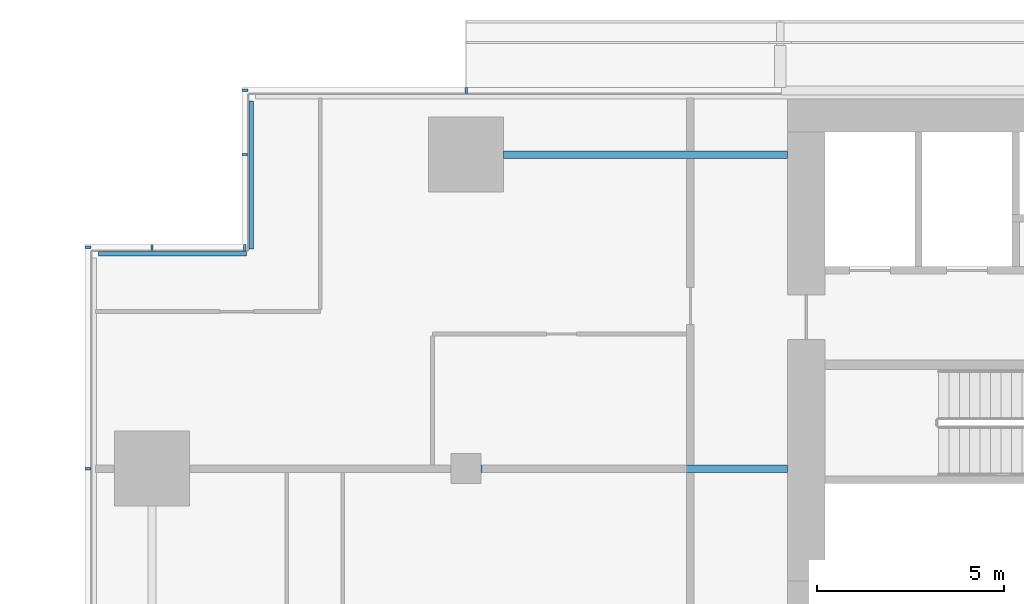
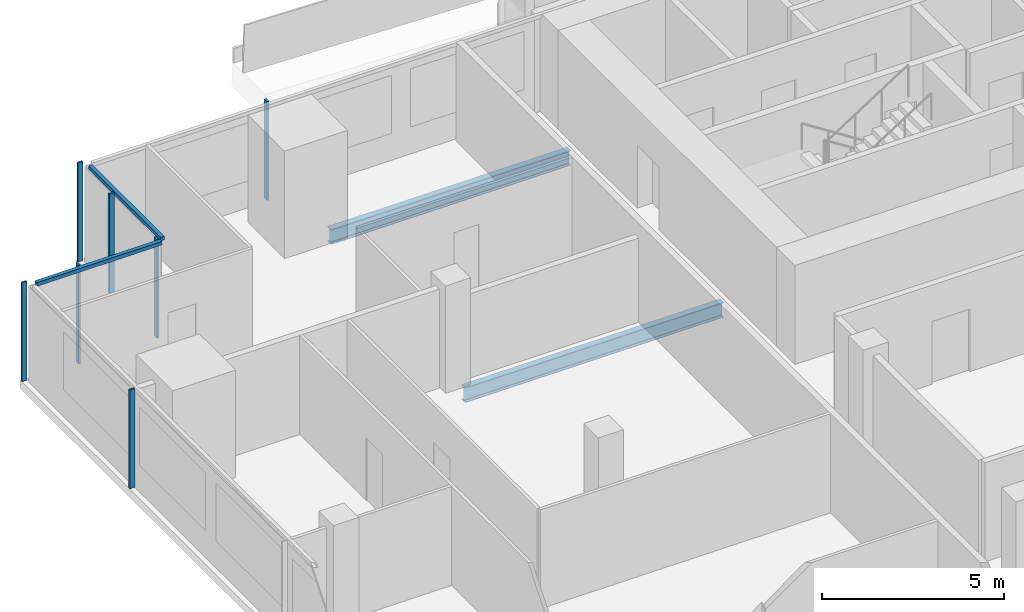
# One storey, part 8 of 27: 9 members, 2 beams, 4 elements without a shape of their own.
"""IFC4 building model written with IfcOpenShell, lengths in metres."""

from ifc_helpers import new_model, si_unit, direction, frame, origin, origin_2d, place, context, subcontext, project, spatial, rectangle, i_section, extrude, material, material_profile, profile_set, type_object, element, aggregate, save


model = new_model("IFC4")

# Units and contexts
model_context = context("Model", 3, precision=1e-05, world=origin(), true_north=direction((0.0, 1.0)))
body_context = subcontext(model_context, "Body", "Model", "MODEL_VIEW")
ifc_project = project(units=[si_unit("LENGTHUNIT", "METRE"), si_unit("AREAUNIT", "SQUARE_METRE"), si_unit("VOLUMEUNIT", "CUBIC_METRE"), si_unit("PLANEANGLEUNIT", "RADIAN"), si_unit("MASSUNIT", "GRAM", prefix="KILO")], contexts=[model_context])

# Site, building, storey
site_placement = place(None, origin())
site = spatial("IfcSite", under=ifc_project, at=site_placement, CompositionType="ELEMENT")
building_placement = place(site_placement, origin())
building = spatial("IfcBuilding", under=site, at=building_placement, Name="Saffron Gate Tower", CompositionType="ELEMENT")
storey_placement = place(building_placement, frame((0.0, 0.0, 124.050048828125)))
storey = spatial("IfcBuildingStorey", under=building, at=storey_placement, Name="L29", CompositionType="ELEMENT", Elevation=124.050048828125)

# Beams
ifc_material_1 = material(Name="Structural steel S355", Category="steel")
ifc_material_profile_1 = material_profile(ifc_material_1, i_section(OverallWidth=0.199951171875, OverallDepth=0.5, WebThickness=0.01025390625, FlangeThickness=0.01611328125, FilletRadius=0.02099609375, at=origin_2d()))
ifc_profile_set_1 = profile_set([ifc_material_profile_1], Name="Structural steel S355")
beam_type = type_object("IfcBeamType", Name="B10 IPE 500", PredefinedType="BEAM", material=ifc_profile_set_1)
beam_1_placement = place(storey_placement, frame((58.60009765625, 65.39990234375, -0.530029296875), z_axis=(1.0, 0.0, 0.0), x_axis=(0.0, 1.0, 0.0)))
element("IfcBeam", 1, at=beam_1_placement, inside=storey, type_object=beam_type, Name="B10 CORE TIE BEAM", PredefinedType="BEAM", context=body_context, shape_type="SweptSolid", body=[
    extrude(i_section(OverallWidth=0.199951171875, OverallDepth=0.5, WebThickness=0.01025390625, FlangeThickness=0.01611328125, FilletRadius=0.02099609375, at=origin_2d()), origin(), (0.0, 0.0, 1.0), 8.199951171875),
])
beam_2_placement = place(storey_placement, frame((59.199951171875, 73.800048828125, -0.530029296875), z_axis=(1.0, 0.0, 0.0), x_axis=(0.0, 1.0, 0.0)))
element("IfcBeam", 2, at=beam_2_placement, inside=storey, type_object=beam_type, Name="B10 CORE TIE BEAM", PredefinedType="BEAM", context=body_context, shape_type="SweptSolid", body=[
    extrude(i_section(OverallWidth=0.199951171875, OverallDepth=0.5, WebThickness=0.01025390625, FlangeThickness=0.01611328125, FilletRadius=0.02099609375, at=origin_2d()), origin(), (0.0, 0.0, 1.0), 7.60009765625),
])

# Curtain wall, members
ifc_material_2 = material(Name="Aluminium, bronze anodised", Category="aluminium")
curtain_wall_type_1 = type_object("IfcCurtainWallType", Name="CWS2 curtain wall side facades", PredefinedType="NOTDEFINED", material=ifc_material_2)
curtain_wall_1_placement = place(storey_placement, origin())
curtain_wall_1 = element("IfcCurtainWall", 3, at=curtain_wall_1_placement, inside=storey, type_object=curtain_wall_type_1, Name="CWS2 run 10", PredefinedType="NOTDEFINED")
ifc_material_profile_2 = material_profile(ifc_material_2, rectangle(XDim=0.159912109375, YDim=0.06005859375, at=origin_2d()))
ifc_profile_set_2 = profile_set([ifc_material_profile_2], Name="Aluminium, bronze anodised")
member_type_1 = type_object("IfcMemberType", Name="CWS2 mullion 60x160", PredefinedType="MULLION", material=ifc_profile_set_2)
member_1_placement = place(storey_placement, frame((48.080078125, 71.320068359375, 0.0), z_axis=(0.0, 0.0, 1.0), x_axis=(1.0, 0.0, 0.0)))
member_1 = element("IfcMember", 4, at=member_1_placement, type_object=member_type_1, Name="CWS2 mullion 1", PredefinedType="MULLION", context=body_context, shape_type="SweptSolid", body=[
    extrude(rectangle(XDim=0.159912109375, YDim=0.06005859375, at=origin_2d()), origin(), (0.0, 0.0, 1.0), 3.320068359375),
])
member_2_placement = place(storey_placement, frame((48.080078125, 65.39990234375, 0.0), z_axis=(0.0, 0.0, 1.0), x_axis=(1.0, 0.0, 0.0)))
member_2 = element("IfcMember", 5, at=member_2_placement, type_object=member_type_1, Name="CWS2 mullion 2", PredefinedType="MULLION", context=body_context, shape_type="SweptSolid", body=[
    extrude(rectangle(XDim=0.159912109375, YDim=0.06005859375, at=origin_2d()), origin(), (0.0, 0.0, 1.0), 3.320068359375),
])
aggregate(curtain_wall_1, [member_1, member_2])

# Curtain wall, member
curtain_wall_type_2 = type_object("IfcCurtainWallType", Name="CWS3 curtain wall rear facade", PredefinedType="NOTDEFINED", material=ifc_material_2)
curtain_wall_2_placement = place(storey_placement, origin())
curtain_wall_2 = element("IfcCurtainWall", 6, at=curtain_wall_2_placement, inside=storey, type_object=curtain_wall_type_2, Name="CWS3 run 7", PredefinedType="NOTDEFINED")
ifc_material_profile_3 = material_profile(ifc_material_2, rectangle(XDim=0.159912109375, YDim=0.070068359375, at=origin_2d()))
ifc_profile_set_3 = profile_set([ifc_material_profile_3], Name="Aluminium, bronze anodised")
member_type_2 = type_object("IfcMemberType", Name="CWS3 mullion 70x160", PredefinedType="MULLION", material=ifc_profile_set_3)
member_3_placement = place(storey_placement, frame((58.199951171875, 75.52001953125, 0.0), z_axis=(0.0, 0.0, 1.0), x_axis=(0.0, -1.0, 0.0)))
member_3 = element("IfcMember", 7, at=member_3_placement, type_object=member_type_2, Name="CWS3 mullion 9", PredefinedType="MULLION", context=body_context, shape_type="SweptSolid", body=[
    extrude(rectangle(XDim=0.159912109375, YDim=0.070068359375, at=origin_2d()), origin(), (0.0, 0.0, 1.0), 3.320068359375),
])
aggregate(curtain_wall_2, [member_3])

curtain_wall_type_3 = type_object("IfcCurtainWallType", Name="CWS4 curtain wall corner returns", PredefinedType="NOTDEFINED", material=ifc_material_2)
curtain_wall_3_placement = place(storey_placement, origin())
curtain_wall_3 = element("IfcCurtainWall", 8, at=curtain_wall_3_placement, inside=storey, type_object=curtain_wall_type_3, Name="CWS4 run 8", PredefinedType="NOTDEFINED")
ifc_material_profile_4 = material_profile(ifc_material_2, rectangle(XDim=0.1201171875, YDim=0.1201171875, at=origin_2d()))
ifc_profile_set_4 = profile_set([ifc_material_profile_4], Name="Aluminium, bronze anodised")
member_type_3 = type_object("IfcMemberType", Name="CWS4 head transom", PredefinedType="USERDEFINED", material=ifc_profile_set_4)
member_4_placement = place(storey_placement, frame((52.447998046875, 75.23193359375, 3.260009765625), z_axis=(0.0, -1.0, 0.0), x_axis=(1.0, 0.0, 0.0)))
member_4 = element("IfcMember", 9, at=member_4_placement, type_object=member_type_3, Name="CWS4 head transom", ObjectType="TRANSOM", PredefinedType="USERDEFINED", context=body_context, shape_type="SweptSolid", body=[
    extrude(rectangle(XDim=0.1201171875, YDim=0.1201171875, at=origin_2d()), origin(), (0.0, 0.0, 1.0), 3.9599609375),
])

curtain_wall_4_placement = place(storey_placement, origin())
curtain_wall_4 = element("IfcCurtainWall", 10, at=curtain_wall_4_placement, inside=storey, type_object=curtain_wall_type_3, Name="CWS4 run 9", PredefinedType="NOTDEFINED")
member_5_placement = place(storey_placement, frame((52.327880859375, 71.152099609375, 3.260009765625), z_axis=(-1.0, 0.0, 0.0), x_axis=(0.0, -1.0, 0.0)))
member_5 = element("IfcMember", 11, at=member_5_placement, type_object=member_type_3, Name="CWS4 head transom", ObjectType="TRANSOM", PredefinedType="USERDEFINED", context=body_context, shape_type="SweptSolid", body=[
    extrude(rectangle(XDim=0.1201171875, YDim=0.1201171875, at=origin_2d()), origin(), (0.0, 0.0, 1.0), 3.9599609375),
])

# Member
ifc_material_profile_5 = material_profile(ifc_material_2, rectangle(XDim=0.159912109375, YDim=0.06005859375, at=origin_2d()))
ifc_profile_set_5 = profile_set([ifc_material_profile_5], Name="Aluminium, bronze anodised")
member_type_4 = type_object("IfcMemberType", Name="CWS4 mullion 60x160", PredefinedType="MULLION", material=ifc_profile_set_5)
member_6_placement = place(storey_placement, frame((52.280029296875, 75.52001953125, 0.0), z_axis=(0.0, 0.0, 1.0), x_axis=(1.0, 0.0, 0.0)))
member_6 = element("IfcMember", 12, at=member_6_placement, type_object=member_type_4, Name="CWS4 mullion 1", PredefinedType="MULLION", context=body_context, shape_type="SweptSolid", body=[
    extrude(rectangle(XDim=0.159912109375, YDim=0.06005859375, at=origin_2d()), origin(), (0.0, 0.0, 1.0), 3.320068359375),
])

member_7_placement = place(storey_placement, frame((52.280029296875, 73.800048828125, 0.0), z_axis=(0.0, 0.0, 1.0), x_axis=(1.0, 0.0, 0.0)))
member_7 = element("IfcMember", 13, at=member_7_placement, type_object=member_type_4, Name="CWS4 mullion 2", PredefinedType="MULLION", context=body_context, shape_type="SweptSolid", body=[
    extrude(rectangle(XDim=0.159912109375, YDim=0.06005859375, at=origin_2d()), origin(), (0.0, 0.0, 1.0), 3.320068359375),
])

aggregate(curtain_wall_3, [member_6, member_7, member_4])

member_8_placement = place(storey_placement, frame((52.280029296875, 71.320068359375, 0.0), z_axis=(0.0, 0.0, 1.0), x_axis=(0.0, -1.0, 0.0)))
member_8 = element("IfcMember", 14, at=member_8_placement, type_object=member_type_4, Name="CWS4 mullion 1", PredefinedType="MULLION", context=body_context, shape_type="SweptSolid", body=[
    extrude(rectangle(XDim=0.159912109375, YDim=0.06005859375, at=origin_2d()), origin(), (0.0, 0.0, 1.0), 3.320068359375),
])

member_9_placement = place(storey_placement, frame((49.800048828125, 71.320068359375, 0.0), z_axis=(0.0, 0.0, 1.0), x_axis=(0.0, -1.0, 0.0)))
member_9 = element("IfcMember", 15, at=member_9_placement, type_object=member_type_4, Name="CWS4 mullion 2", PredefinedType="MULLION", context=body_context, shape_type="SweptSolid", body=[
    extrude(rectangle(XDim=0.159912109375, YDim=0.06005859375, at=origin_2d()), origin(), (0.0, 0.0, 1.0), 3.320068359375),
])

aggregate(curtain_wall_4, [member_8, member_9, member_5])

save(model, "model.ifc")
